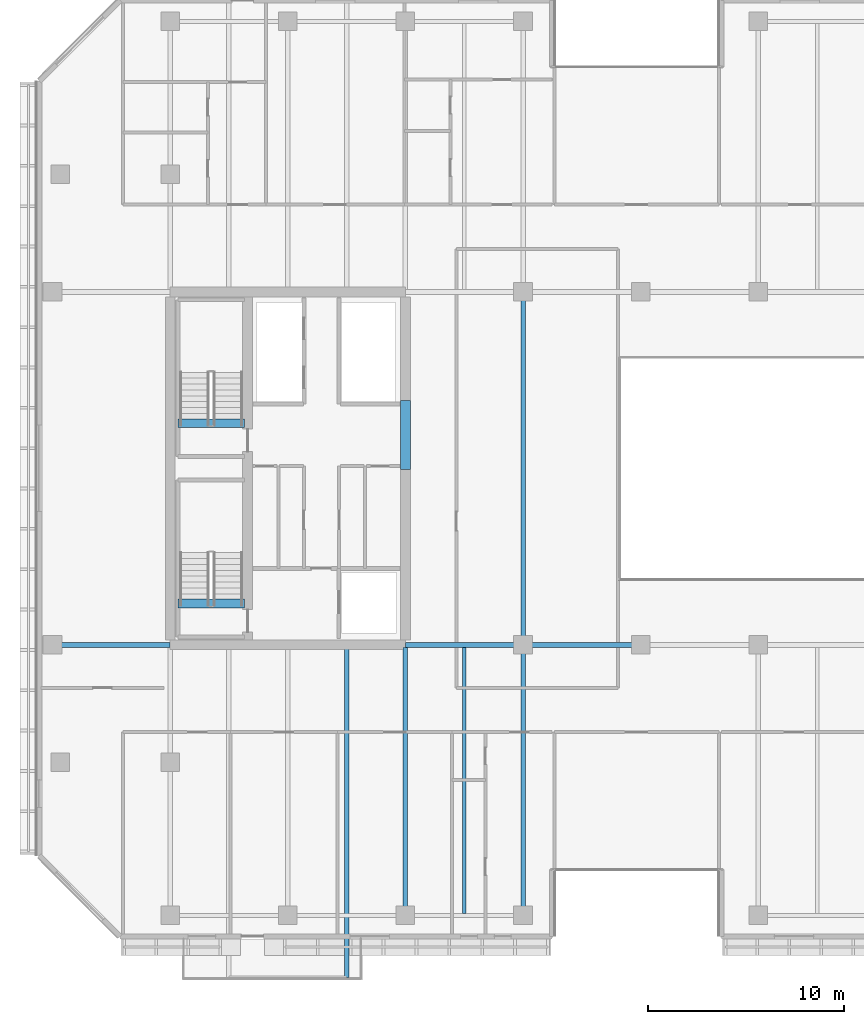
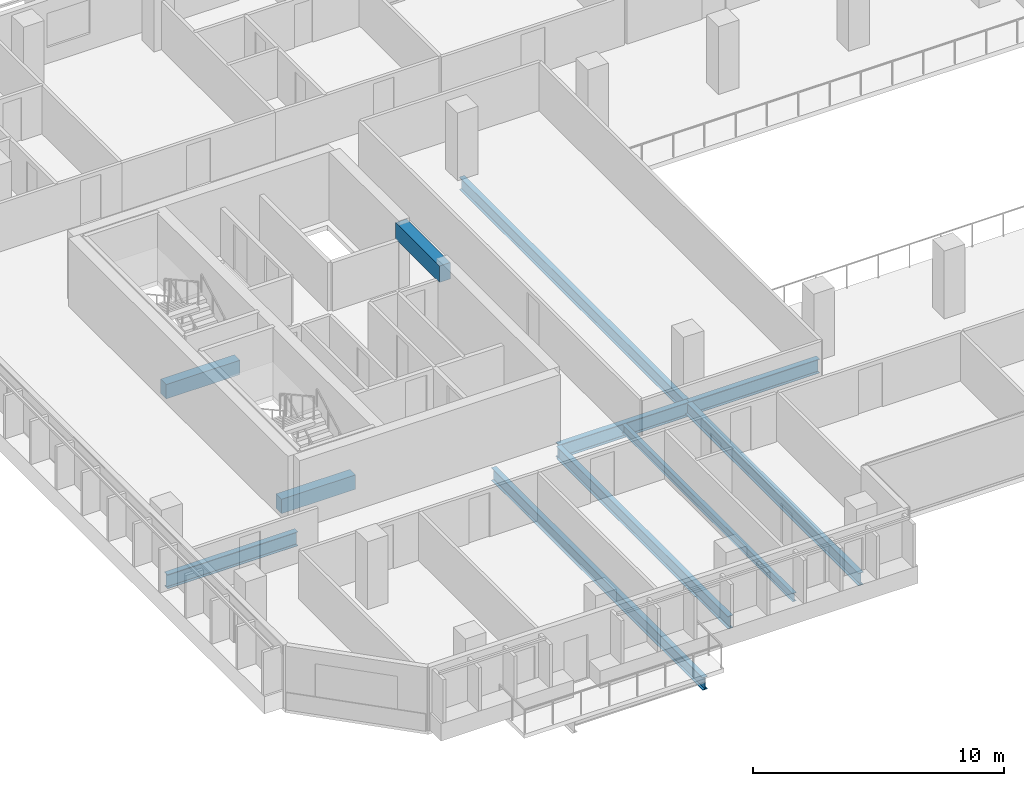
# One storey, part 3 of 23: 11 beams.
"""IFC4 building model written with IfcOpenShell, lengths in metres."""

from ifc_helpers import new_model, si_unit, direction, frame, origin, origin_2d, place, context, subcontext, project, spatial, rectangle, i_section, extrude, material, material_profile, profile_set, type_object, element, save


model = new_model("IFC4")

# Units and contexts
model_context = context("Model", 3, precision=1e-05, world=origin(), true_north=direction((0.0, 1.0)))
body_context = subcontext(model_context, "Body", "Model", "MODEL_VIEW")
ifc_project = project(units=[si_unit("LENGTHUNIT", "METRE"), si_unit("AREAUNIT", "SQUARE_METRE"), si_unit("VOLUMEUNIT", "CUBIC_METRE"), si_unit("PLANEANGLEUNIT", "RADIAN"), si_unit("MASSUNIT", "GRAM", prefix="KILO")], contexts=[model_context])

# Site, building, storey
site_placement = place(None, origin())
site = spatial("IfcSite", under=ifc_project, at=site_placement, CompositionType="ELEMENT")
building_placement = place(site_placement, origin())
building = spatial("IfcBuilding", under=site, at=building_placement, Name="Tanjung Sevakor Pilgrim Tower", CompositionType="ELEMENT")
storey_placement = place(building_placement, frame((0.0, 0.0, 105.27001953125)))
storey = spatial("IfcBuildingStorey", under=building, at=storey_placement, Name="L29", CompositionType="ELEMENT", Elevation=105.27001953125)

# Beams
ifc_material_1 = material(Name="Steel S355J2", Category="steel")
ifc_material_profile_1 = material_profile(ifc_material_1, i_section(OverallWidth=0.25439453125, OverallDepth=0.6875, WebThickness=0.01318359375, FlangeThickness=0.02099609375, FilletRadius=0.01513671875, at=origin_2d()))
ifc_profile_set_1 = profile_set([ifc_material_profile_1], Name="Steel S355J2")
beam_type_1 = type_object("IfcBeamType", Name="BM-B-G2-UB_686x254x152", PredefinedType="BEAM", material=ifc_profile_set_1)
for number, where, z_axis, x_axis, name in (
    (1, (18.0, 24.60009765625, -0.563720703125), (1.0, 0.0, 0.0), (0.0, 1.0, 0.0), "L29 Primary Floor Girder MAIN Y246-01"),
    (2, (36.0, 24.60009765625, -0.563720703125), (1.0, 0.0, 0.0), (0.0, 1.0, 0.0), "L29 Primary Floor Girder MAIN Y246-02"),
    (3, (42.0, 24.60009765625, -0.563720703125), (1.0, 0.0, 0.0), (0.0, 1.0, 0.0), "L29 Primary Floor Girder MAIN Y246-03"),
):
    element("IfcBeam", number, at=place(storey_placement, frame(where, z_axis=z_axis, x_axis=x_axis)), inside=storey, type_object=beam_type_1, Name=name, PredefinedType="BEAM", context=body_context, shape_type="SweptSolid", body=[
        extrude(i_section(OverallWidth=0.25439453125, OverallDepth=0.6875, WebThickness=0.01318359375, FlangeThickness=0.02099609375, FilletRadius=0.01513671875, at=origin_2d()), origin(), (0.0, 0.0, 1.0), 6.0),
    ])
ifc_material_2 = material(Name="Steel S355J2", Category="steel")
ifc_material_profile_2 = material_profile(ifc_material_2, i_section(OverallWidth=0.230224609375, OverallDepth=0.6171875, WebThickness=0.01318359375, FlangeThickness=0.022216796875, FilletRadius=0.0126953125, at=origin_2d()))
ifc_profile_set_2 = profile_set([ifc_material_profile_2], Name="Steel S355J2")
beam_type_2 = type_object("IfcBeamType", Name="BM-B-G3-UB_610x229x140", PredefinedType="BEAM", material=ifc_profile_set_2)
beam_1_placement = place(storey_placement, frame((36.0, 10.800048828125, -0.528564453125), z_axis=(0.0, 1.0, 0.0), x_axis=(-1.0, 0.0, 0.0)))
element("IfcBeam", 4, at=beam_1_placement, inside=storey, type_object=beam_type_2, Name="L29 MAIN Girder 005", PredefinedType="BEAM", context=body_context, shape_type="SweptSolid", body=[
    extrude(i_section(OverallWidth=0.230224609375, OverallDepth=0.6171875, WebThickness=0.01318359375, FlangeThickness=0.022216796875, FilletRadius=0.0126953125, at=origin_2d()), origin(), (0.0, 0.0, 1.0), 13.672607421875),
])
beam_2_placement = place(storey_placement, frame((42.0, 10.800048828125, -0.528564453125), z_axis=(0.0, 1.0, 0.0), x_axis=(-1.0, 0.0, 0.0)))
element("IfcBeam", 5, at=beam_2_placement, inside=storey, type_object=beam_type_2, Name="L29 MAIN Girder 009", PredefinedType="BEAM", context=body_context, shape_type="SweptSolid", body=[
    extrude(i_section(OverallWidth=0.230224609375, OverallDepth=0.6171875, WebThickness=0.01318359375, FlangeThickness=0.022216796875, FilletRadius=0.0126953125, at=origin_2d()), origin(), (0.0, 0.0, 1.0), 13.800048828125),
])
beam_3_placement = place(storey_placement, frame((42.0, 24.60009765625, -0.528564453125), z_axis=(0.0, 1.0, 0.0), x_axis=(-1.0, 0.0, 0.0)))
element("IfcBeam", 6, at=beam_3_placement, inside=storey, type_object=beam_type_2, Name="L29 MAIN Girder 010", PredefinedType="BEAM", context=body_context, shape_type="SweptSolid", body=[
    extrude(i_section(OverallWidth=0.230224609375, OverallDepth=0.6171875, WebThickness=0.01318359375, FlangeThickness=0.022216796875, FilletRadius=0.0126953125, at=origin_2d()), origin(), (0.0, 0.0, 1.0), 18.0),
])
ifc_material_3 = material(Name="Steel S355J2", Category="steel")
ifc_material_profile_3 = material_profile(ifc_material_3, i_section(OverallWidth=0.22900390625, OverallDepth=0.6123046875, WebThickness=0.011962890625, FlangeThickness=0.01953125, FilletRadius=0.0126953125, at=origin_2d()))
ifc_profile_set_3 = profile_set([ifc_material_profile_3], Name="Steel S355J2")
beam_type_3 = type_object("IfcBeamType", Name="BM-B-G4-UB_610x229x125", PredefinedType="BEAM", material=ifc_profile_set_3)
beam_4_placement = place(storey_placement, frame((33.0, 24.47265625, -0.526123046875), z_axis=(0.0, -1.0, 0.0), x_axis=(1.0, 0.0, 0.0)))
element("IfcBeam", 7, at=beam_4_placement, inside=storey, type_object=beam_type_3, Name="L29 Balcony Cantilever Beam MAIN-S1-2", PredefinedType="BEAM", context=body_context, shape_type="SweptSolid", body=[
    extrude(i_section(OverallWidth=0.22900390625, OverallDepth=0.6123046875, WebThickness=0.011962890625, FlangeThickness=0.01953125, FilletRadius=0.0126953125, at=origin_2d()), origin(), (0.0, 0.0, 1.0), 16.8525390625),
])
ifc_material_4 = material(Name="Steel S355J2", Category="steel")
ifc_material_profile_4 = material_profile(ifc_material_4, i_section(OverallWidth=0.1787109375, OverallDepth=0.409423828125, WebThickness=0.0087890625, FlangeThickness=0.014404296875, FilletRadius=0.01025390625, at=origin_2d()))
ifc_profile_set_4 = profile_set([ifc_material_profile_4], Name="Steel S355J2")
beam_type_4 = type_object("IfcBeamType", Name="BM-B-J3-UB_406x178x67", PredefinedType="JOIST", material=ifc_profile_set_4)
beam_5_placement = place(storey_placement, frame((39.0, 10.89990234375, -0.4248046875), z_axis=(0.0, 1.0, 0.0), x_axis=(-1.0, 0.0, 0.0)))
element("IfcBeam", 8, at=beam_5_placement, inside=storey, type_object=beam_type_4, Name="L29 MAIN Joist 007", PredefinedType="JOIST", context=body_context, shape_type="SweptSolid", body=[
    extrude(i_section(OverallWidth=0.1787109375, OverallDepth=0.409423828125, WebThickness=0.0087890625, FlangeThickness=0.014404296875, FilletRadius=0.01025390625, at=origin_2d()), origin(), (0.0, 0.0, 1.0), 13.57275390625),
])
ifc_material_5 = material(Name="Concrete C60/75", Category="concrete")
ifc_material_profile_5 = material_profile(ifc_material_5, rectangle(XDim=0.5, YDim=0.800048828125, at=origin_2d()))
ifc_profile_set_5 = profile_set([ifc_material_profile_5], Name="Concrete C60/75")
beam_type_5 = type_object("IfcBeamType", Name="BM-B-LN2-RC-BM_500x800", PredefinedType="LINTEL", material=ifc_profile_set_5)
beam_6_placement = place(storey_placement, frame((36.0, 33.550048828125, 2.679931640625), z_axis=(0.0, 1.0, 0.0), x_axis=(-1.0, 0.0, 0.0)))
element("IfcBeam", 9, at=beam_6_placement, inside=storey, type_object=beam_type_5, Name="L29 W Core Coupling Lintel", PredefinedType="LINTEL", context=body_context, shape_type="SweptSolid", body=[
    extrude(rectangle(XDim=0.5, YDim=0.800048828125, at=origin_2d()), origin(), (0.0, 0.0, 1.0), 3.5),
])
ifc_material_6 = material(Name="Concrete C60/75", Category="concrete")
ifc_material_profile_6 = material_profile(ifc_material_6, rectangle(XDim=0.449951171875, YDim=0.699951171875, at=origin_2d()))
ifc_profile_set_6 = profile_set([ifc_material_profile_6], Name="Concrete C60/75")
beam_type_6 = type_object("IfcBeamType", Name="BM-B-LN3-RC-BM_450x700", PredefinedType="LINTEL", material=ifc_profile_set_6)
for number, where, z_axis, x_axis, name in (
    (10, (24.39990234375, 26.699951171875, -0.35009765625), (1.0, 0.0, 0.0), (0.0, 1.0, 0.0), "L29 TS-W1 Stair Threshold Beam"),
    (11, (24.39990234375, 35.89990234375, -0.35009765625), (1.0, 0.0, 0.0), (0.0, 1.0, 0.0), "L29 TS-W2 Stair Threshold Beam"),
):
    element("IfcBeam", number, at=place(storey_placement, frame(where, z_axis=z_axis, x_axis=x_axis)), inside=storey, type_object=beam_type_6, Name=name, PredefinedType="LINTEL", context=body_context, shape_type="SweptSolid", body=[
        extrude(rectangle(XDim=0.449951171875, YDim=0.699951171875, at=origin_2d()), origin(), (0.0, 0.0, 1.0), 3.400146484375),
    ])

save(model, "model.ifc")
